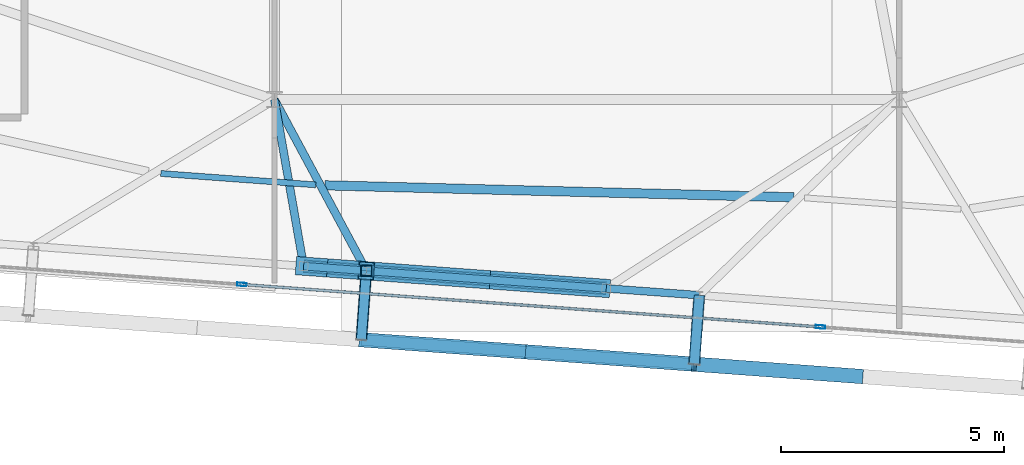
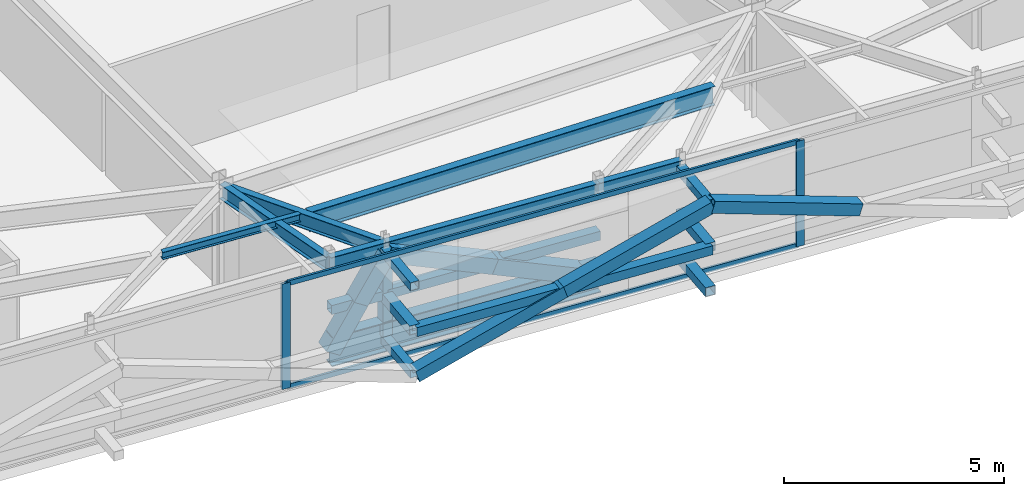
# One storey, part 11 of 35: 22 members, 7 beams, 1 element without a shape of its own.
"""IFC4 building model written with IfcOpenShell, lengths in metres."""

from ifc_helpers import new_model, si_unit, direction, frame, origin, origin_2d, place, context, subcontext, project, spatial, hollow_rectangle, i_section, extrude, source, transform, mapped, material, layer, layer_set, material_profile, profile_set, type_object, element, aggregate, save


model = new_model("IFC4")

# Units and contexts
model_context = context("Model", 3, precision=1e-05, world=origin(), true_north=direction((0.0, 1.0)))
body_context = subcontext(model_context, "Body", "Model", "MODEL_VIEW")
ifc_project = project(units=[si_unit("LENGTHUNIT", "METRE"), si_unit("AREAUNIT", "SQUARE_METRE"), si_unit("VOLUMEUNIT", "CUBIC_METRE"), si_unit("PLANEANGLEUNIT", "RADIAN"), si_unit("MASSUNIT", "GRAM", prefix="KILO")], contexts=[model_context])

# Site, building, storey
site_placement = place(None, origin())
site = spatial("IfcSite", under=ifc_project, at=site_placement, CompositionType="ELEMENT")
building_placement = place(site_placement, origin())
building = spatial("IfcBuilding", under=site, at=building_placement, Name="Taldren Reach Tower", CompositionType="ELEMENT")
storey_placement = place(building_placement, frame((0.0, 0.0, 236.60009765625)))
storey = spatial("IfcBuildingStorey", under=building, at=storey_placement, Name="L72", CompositionType="ELEMENT", Elevation=236.60009765625)

# Members
ifc_material_1 = material(Name="Steel Gr 350 (C350L0)", Category="steel")
ifc_material_profile_1 = material_profile(ifc_material_1, hollow_rectangle(XDim=0.25, YDim=0.25, WallThickness=0.010009765625, at=origin_2d()), Name="250x250x10.0SHS")
ifc_profile_set_1 = profile_set([ifc_material_profile_1], Name="Steel Gr 350 (C350L0)")
member_type_1 = type_object("IfcMemberType", Name="MB-POST250", PredefinedType="POST", material=ifc_profile_set_1)
shared_shape_1 = source(origin(), body_context, "Body", "SweptSolid", [
    extrude(hollow_rectangle(XDim=0.25, YDim=0.25, WallThickness=0.010009765625, at=origin_2d()), origin(), (0.0, 0.0, 1.0), 1.5498046875),
])
member_1_placement = place(storey_placement, frame((30.060546875, 5.364501953125, 1.434814453125), z_axis=(-0.073250797913, -0.997313551801, 0.0), x_axis=(0.997313551801, -0.073250797913, 0.0)))
element("IfcMember", 1, at=member_1_placement, inside=storey, type_object=member_type_1, Name="Exoskeleton mid-tier diaphragm tie B5-S3 L72", PredefinedType="POST", context=body_context, shape_type="MappedRepresentation", body=[
    mapped(shared_shape_1, transform((0.0, 0.0, 0.0), scale=1.0)),
])
shared_shape_2 = source(origin(), body_context, "Body", "SweptSolid", [
    extrude(hollow_rectangle(XDim=0.25, YDim=0.25, WallThickness=0.010009765625, at=origin_2d()), origin(), (0.0, 0.0, 1.0), 1.550048828125),
])
for number, where, z_axis, x_axis, name in (
    (2, (37.5205078125, 4.81689453125, 0.219970703125), (-0.07323929162, -0.997314396849, 0.0), (0.997314396849, -0.07323929162, 0.0), "Exoskeleton base diaphragm tie strut B5-S4 L72"),
    (3, (37.5205078125, 4.81689453125, 1.434814453125), (-0.07323929162, -0.997314396849, 0.0), (0.997314396849, -0.07323929162, 0.0), "Exoskeleton mid-tier diaphragm tie B5-S4 L72"),
):
    element("IfcMember", number, at=place(storey_placement, frame(where, z_axis=z_axis, x_axis=x_axis)), inside=storey, type_object=member_type_1, Name=name, PredefinedType="POST", context=body_context, shape_type="MappedRepresentation", body=[
        mapped(shared_shape_2, transform((0.0, 0.0, 0.0), scale=1.0)),
    ])
ifc_material_2 = material(Name="Steel Gr 450 (C450L0)", Category="steel")
ifc_material_profile_2 = material_profile(ifc_material_2, hollow_rectangle(XDim=0.219970703125, YDim=0.219970703125, WallThickness=0.00830078125, at=origin_2d()), Name="220x220x8.2SHS")
ifc_profile_set_2 = profile_set([ifc_material_profile_2], Name="Steel Gr 450 (C450L0)")
member_type_2 = type_object("IfcMemberType", Name="MB-TIE219", PredefinedType="STRUT", material=ifc_profile_set_2)
shared_shape_3 = source(origin(), body_context, "Body", "SweptSolid", [
    extrude(hollow_rectangle(XDim=0.219970703125, YDim=0.219970703125, WallThickness=0.00830078125, at=origin_2d()), origin(), (0.0, 0.0, 1.0), 1.5498046875),
])
for number, where, z_axis, x_axis, name in (
    (4, (30.060546875, 5.364501953125, 2.64990234375), (-0.073250797913, -0.997313551801, 0.0), (0.997313551801, -0.073250797913, 0.0), "Exoskeleton diaphragm tie strut B5-S3 L72"),
    (5, (30.060546875, 5.364501953125, 0.219970703125), (-0.073250797913, -0.997313551801, 0.0), (0.997313551801, -0.073250797913, 0.0), "Exoskeleton base diaphragm tie strut B5-S3 L72"),
):
    element("IfcMember", number, at=place(storey_placement, frame(where, z_axis=z_axis, x_axis=x_axis)), inside=storey, type_object=member_type_2, Name=name, PredefinedType="STRUT", context=body_context, shape_type="MappedRepresentation", body=[
        mapped(shared_shape_3, transform((0.0, 0.0, 0.0), scale=1.0)),
    ])
shared_shape_4 = source(origin(), body_context, "Body", "SweptSolid", [
    extrude(hollow_rectangle(XDim=0.219970703125, YDim=0.219970703125, WallThickness=0.00830078125, at=origin_2d()), origin(), (0.0, 0.0, 1.0), 1.550048828125),
])
member_2_placement = place(storey_placement, frame((37.5205078125, 4.81689453125, 2.64990234375), z_axis=(-0.07323929162, -0.997314396849, 0.0), x_axis=(0.997314396849, -0.07323929162, 0.0)))
element("IfcMember", 6, at=member_2_placement, inside=storey, type_object=member_type_2, Name="Exoskeleton diaphragm tie strut B5-S4 L72", PredefinedType="STRUT", context=body_context, shape_type="MappedRepresentation", body=[
    mapped(shared_shape_4, transform((0.0, 0.0, 0.0), scale=1.0)),
])

# Beams
ifc_material_3 = material(Name="Steel Gr 350 (350PLUS)", Category="steel")
ifc_material_profile_3 = material_profile(ifc_material_3, i_section(OverallWidth=0.172119140625, OverallDepth=0.35888671875, WebThickness=0.008056640625, FlangeThickness=0.012939453125, at=origin_2d()), Name="360UB56.7")
ifc_profile_set_3 = profile_set([ifc_material_profile_3], Name="Steel Gr 350 (350PLUS)")
beam_type_1 = type_object("IfcBeamType", Name="SP-UB360", PredefinedType="SPANDREL", material=ifc_profile_set_3)
shared_shape_5 = source(origin(), body_context, "Body", "SweptSolid", [
    extrude(i_section(OverallWidth=0.172119140625, OverallDepth=0.35888671875, WebThickness=0.008056640625, FlangeThickness=0.012939453125, at=origin_2d()), origin(), (0.0, 0.0, 1.0), 1.41015625),
])
beam_1_placement = place(storey_placement, frame((28.654296875, 5.4677734375, 2.75048828125), z_axis=(0.997314324946, -0.073240270738, 0.0), x_axis=(0.073240270738, 0.997314324946, 0.0)))
element("IfcBeam", 7, at=beam_1_placement, inside=storey, type_object=beam_type_1, Name="Perimeter spandrel B5 PJ1-S3 L72", PredefinedType="SPANDREL", context=body_context, shape_type="MappedRepresentation", body=[
    mapped(shared_shape_5, transform((0.0, 0.0, 0.0), scale=1.0)),
])
shared_shape_6 = source(origin(), body_context, "Body", "SweptSolid", [
    extrude(i_section(OverallWidth=0.172119140625, OverallDepth=0.35888671875, WebThickness=0.008056640625, FlangeThickness=0.012939453125, at=origin_2d()), origin(), (0.0, 0.0, 1.0), 5.389892578125),
])
beam_2_placement = place(storey_placement, frame((30.060546875, 5.364501953125, 2.75048828125), z_axis=(0.997314149177, -0.073242664148, 0.0), x_axis=(0.073242664148, 0.997314149177, 0.0)))
element("IfcBeam", 8, at=beam_2_placement, inside=storey, type_object=beam_type_1, Name="Perimeter spandrel B5 S3-PJ2 L72", PredefinedType="SPANDREL", context=body_context, shape_type="MappedRepresentation", body=[
    mapped(shared_shape_6, transform((0.0, 0.0, 0.0), scale=1.0)),
])
shared_shape_7 = source(origin(), body_context, "Body", "SweptSolid", [
    extrude(i_section(OverallWidth=0.172119140625, OverallDepth=0.35888671875, WebThickness=0.008056640625, FlangeThickness=0.012939453125, at=origin_2d()), origin(), (0.0, 0.0, 1.0), 2.090087890625),
])
beam_3_placement = place(storey_placement, frame((35.43603515625, 4.9697265625, 2.75048828125), z_axis=(0.997322930253, -0.073122997697, 0.0), x_axis=(0.073122997697, 0.997322930253, 0.0)))
element("IfcBeam", 9, at=beam_3_placement, inside=storey, type_object=beam_type_1, Name="Perimeter spandrel B5 PJ2-S4 L72", PredefinedType="SPANDREL", context=body_context, shape_type="MappedRepresentation", body=[
    mapped(shared_shape_7, transform((0.0, 0.0, 0.0), scale=1.0)),
])
ifc_material_profile_4 = material_profile(ifc_material_3, i_section(OverallWidth=0.177978515625, OverallDepth=0.406005859375, WebThickness=0.0078125, FlangeThickness=0.0126953125, at=origin_2d()), Name="410UB59.7")
ifc_profile_set_4 = profile_set([ifc_material_profile_4], Name="Steel Gr 350 (350PLUS)")
beam_type_2 = type_object("IfcBeamType", Name="BM-UB410", PredefinedType="BEAM", material=ifc_profile_set_4)
shared_shape_8 = source(origin(), body_context, "Body", "SweptSolid", [
    extrude(i_section(OverallWidth=0.177978515625, OverallDepth=0.406005859375, WebThickness=0.0078125, FlangeThickness=0.0126953125, at=origin_2d()), origin(), (0.0, 0.0, 1.0), 3.7890625),
])
beam_4_placement = place(storey_placement, frame((28.0, 9.199951171875, 2.726806640625), z_axis=(0.172678846321, -0.984978180486, 0.0), x_axis=(0.984978180486, 0.172678846321, 0.0)))
element("IfcBeam", 10, at=beam_4_placement, inside=storey, type_object=beam_type_2, Name="Primary floor girder B5-PJ1 L72", PredefinedType="BEAM", context=body_context, shape_type="MappedRepresentation", body=[
    mapped(shared_shape_8, transform((0.0, 0.0, 0.0), scale=1.0)),
])
shared_shape_9 = source(origin(), body_context, "Body", "SweptSolid", [
    extrude(i_section(OverallWidth=0.177978515625, OverallDepth=0.406005859375, WebThickness=0.0078125, FlangeThickness=0.0126953125, at=origin_2d()), origin(), (0.0, 0.0, 1.0), 4.35400390625),
])
beam_5_placement = place(storey_placement, frame((28.0, 9.199951171875, 2.726806640625), z_axis=(0.473263645364, -0.88092083752, 0.0), x_axis=(0.88092083752, 0.473263645364, 0.0)))
element("IfcBeam", 11, at=beam_5_placement, inside=storey, type_object=beam_type_2, Name="Primary floor girder B5-S3 L72", PredefinedType="BEAM", context=body_context, shape_type="MappedRepresentation", body=[
    mapped(shared_shape_9, transform((0.0, 0.0, 0.0), scale=1.0)),
])
ifc_material_4 = material(Name="Steel Gr 300 (300PLUS, 300 MPa)", Category="steel")
ifc_material_profile_5 = material_profile(ifc_material_4, i_section(OverallWidth=0.134033203125, OverallDepth=0.20703125, WebThickness=0.00634765625, FlangeThickness=0.009521484375, at=origin_2d()), Name="200UB29.8")
ifc_profile_set_5 = profile_set([ifc_material_profile_5], Name="Steel Gr 300 (300PLUS, 300 MPa)")
beam_type_3 = type_object("IfcBeamType", Name="JS-UB200", PredefinedType="JOIST", material=ifc_profile_set_5)
shared_shape_10 = source(origin(), body_context, "Body", "SweptSolid", [
    extrude(i_section(OverallWidth=0.134033203125, OverallDepth=0.20703125, WebThickness=0.00634765625, FlangeThickness=0.009521484375, at=origin_2d()), origin(), (0.0, 0.0, 1.0), 3.481201171875),
])
beam_6_placement = place(storey_placement, frame((25.453125, 7.544921875, 2.826416015625), z_axis=(0.997316141537, -0.073215529974, 0.0), x_axis=(0.073215529974, 0.997316141537, 0.0)))
element("IfcBeam", 12, at=beam_6_placement, inside=storey, type_object=beam_type_3, Name="Secondary floor joist B5 J2 L72", PredefinedType="JOIST", context=body_context, shape_type="MappedRepresentation", body=[
    mapped(shared_shape_10, transform((0.0, 0.0, 0.0), scale=1.0)),
])
ifc_material_profile_6 = material_profile(ifc_material_3, i_section(OverallWidth=0.208984375, OverallDepth=0.532958984375, WebThickness=0.01025390625, FlangeThickness=0.015625, at=origin_2d()), Name="530UB92.4")
ifc_profile_set_6 = profile_set([ifc_material_profile_6], Name="Steel Gr 350 (350PLUS)")
beam_type_4 = type_object("IfcBeamType", Name="BM-UB530A", PredefinedType="BEAM", material=ifc_profile_set_6)
shared_shape_11 = source(origin(), body_context, "Body", "SweptSolid", [
    extrude(i_section(OverallWidth=0.208984375, OverallDepth=0.532958984375, WebThickness=0.01025390625, FlangeThickness=0.015625, at=origin_2d()), origin(), (0.0, 0.0, 1.0), 10.507080078125),
])
beam_7_placement = place(storey_placement, frame((29.132568359375, 7.27978515625, 2.663330078125), z_axis=(0.999673899449, -0.025536146143, 0.0), x_axis=(0.025536146143, 0.999673899449, 0.0)))
element("IfcBeam", 13, at=beam_7_placement, inside=storey, type_object=beam_type_4, Name="Secondary floor beam B5 J3 L72", PredefinedType="BEAM", context=body_context, shape_type="MappedRepresentation", body=[
    mapped(shared_shape_11, transform((0.0, 0.0, 0.0), scale=1.0)),
])

# Members
ifc_material_profile_7 = material_profile(ifc_material_2, hollow_rectangle(XDim=0.324951171875, YDim=0.324951171875, WallThickness=0.0126953125, at=origin_2d()), Name="325x325x12.7SHS")
ifc_profile_set_7 = profile_set([ifc_material_profile_7], Name="Steel Gr 450 (C450L0)")
member_type_3 = type_object("IfcMemberType", Name="MB-BR324", PredefinedType="BRACE", material=ifc_profile_set_7)
shared_shape_12 = source(origin(), body_context, "Body", "SweptSolid", [
    extrude(hollow_rectangle(XDim=0.324951171875, YDim=0.324951171875, WallThickness=0.0126953125, at=origin_2d()), origin(), (0.0, 0.0, 1.0), 3.932373046875),
])
for number, where, z_axis, x_axis, name in (
    (14, (29.947021484375, 3.81884765625, 0.219970703125), (0.948529326954, -0.06965898055, 0.308933232813), (0.07324169103, 0.997314220642, 0.0), "Exoskeleton Diagrid Brace B5-S3 L72"),
    (15, (33.677001953125, 3.544921875, 1.434814453125), (0.948511132845, -0.069657644394, 0.308989390507), (0.07324169103, 0.997314220642, 0.0), "Exoskeleton Diagrid Brace B5-S3 L72"),
):
    element("IfcMember", number, at=place(storey_placement, frame(where, z_axis=z_axis, x_axis=x_axis)), inside=storey, type_object=member_type_3, Name=name, PredefinedType="BRACE", context=body_context, shape_type="MappedRepresentation", body=[
        mapped(shared_shape_12, transform((0.0, 0.0, 0.0), scale=1.0)),
    ])
shared_shape_13 = source(origin(), body_context, "Body", "SweptSolid", [
    extrude(hollow_rectangle(XDim=0.25, YDim=0.25, WallThickness=0.010009765625, at=origin_2d()), origin(), (0.0, 0.0, 1.0), 7.47998046875),
])
member_3_placement = place(storey_placement, frame((29.947021484375, 3.81884765625, 1.434814453125), z_axis=(0.997314220642, -0.07324169103, 0.0), x_axis=(0.07324169103, 0.997314220642, 0.0)))
element("IfcMember", 16, at=member_3_placement, inside=storey, type_object=member_type_1, Name="Exoskeleton mid-height ring chord B5-S3 L72", PredefinedType="POST", context=body_context, shape_type="MappedRepresentation", body=[
    mapped(shared_shape_13, transform((0.0, 0.0, 0.0), scale=1.0)),
])
shared_shape_14 = source(origin(), body_context, "Body", "SweptSolid", [
    extrude(hollow_rectangle(XDim=0.324951171875, YDim=0.324951171875, WallThickness=0.0126953125, at=origin_2d()), origin(), (0.0, 0.0, 1.0), 3.93212890625),
])
member_4_placement = place(storey_placement, frame((41.13671875, 2.9970703125, 1.434814453125), z_axis=(-0.94850490367, 0.069661746542, 0.309007586933), x_axis=(-0.073246459555, -0.997313870435, 0.0)))
element("IfcMember", 17, at=member_4_placement, inside=storey, type_object=member_type_3, Name="Exoskeleton Diagrid Brace B5-S4 L72", PredefinedType="BRACE", context=body_context, shape_type="MappedRepresentation", body=[
    mapped(shared_shape_14, transform((0.0, 0.0, 0.0), scale=1.0)),
])
ifc_material_profile_8 = material_profile(ifc_material_3, i_section(OverallWidth=0.300048828125, OverallDepth=0.81591796875, WebThickness=0.011962890625, FlangeThickness=0.02392578125, at=origin_2d()), Name="800WB192")
ifc_profile_set_8 = profile_set([ifc_material_profile_8], Name="Steel Gr 350 (350PLUS)")
member_type_4 = type_object("IfcMemberType", Name="MB-CH800", PredefinedType="CHORD", material=ifc_profile_set_8)
shared_shape_15 = source(origin(), body_context, "Body", "SweptSolid", [
    extrude(i_section(OverallWidth=0.300048828125, OverallDepth=0.81591796875, WebThickness=0.011962890625, FlangeThickness=0.02392578125, at=origin_2d()), origin(), (0.0, 0.0, 1.0), 6.800048828125),
])
member_5_placement = place(storey_placement, frame((28.654296875, 5.4677734375, 0.349853515625), z_axis=(0.997314185625, -0.073242167855, 0.0), x_axis=(0.073242167855, 0.997314185625, 0.0)))
element("IfcMember", 18, at=member_5_placement, inside=storey, type_object=member_type_4, Name="Wind portal S bridge truss bottom chord", PredefinedType="CHORD", context=body_context, shape_type="MappedRepresentation", body=[
    mapped(shared_shape_15, transform((0.0, 0.0, 0.0), scale=1.0)),
])
shared_shape_16 = source(origin(), body_context, "Body", "SweptSolid", [
    extrude(hollow_rectangle(XDim=0.25, YDim=0.25, WallThickness=0.010009765625, at=origin_2d()), origin(), (0.0, 0.0, 1.0), 6.800048828125),
])
member_6_placement = place(storey_placement, frame((28.654296875, 5.4677734375, 1.5), z_axis=(0.997314185625, -0.073242167855, 0.0), x_axis=(0.073242167855, 0.997314185625, 0.0)))
element("IfcMember", 19, at=member_6_placement, inside=storey, type_object=member_type_1, Name="Wind portal S bridge truss mid chord", PredefinedType="POST", context=body_context, shape_type="MappedRepresentation", body=[
    mapped(shared_shape_16, transform((0.0, 0.0, 0.0), scale=1.0)),
])
shared_shape_17 = source(origin(), body_context, "Body", "SweptSolid", [
    extrude(hollow_rectangle(XDim=0.25, YDim=0.25, WallThickness=0.010009765625, at=origin_2d()), origin(), (0.0, 0.0, 1.0), 1.150146484375),
])
member_7_placement = place(storey_placement, frame((30.060546875, 5.364501953125, 0.349853515625), z_axis=(0.0, 0.0, 1.0), x_axis=(1.0, 0.0, 0.0)))
element("IfcMember", 20, at=member_7_placement, inside=storey, type_object=member_type_1, Name="Wind portal S bridge truss vertical post", PredefinedType="POST", context=body_context, shape_type="MappedRepresentation", body=[
    mapped(shared_shape_17, transform((0.0, 0.0, 0.0), scale=1.0)),
])
shared_shape_18 = source(origin(), body_context, "Body", "SweptSolid", [
    extrude(hollow_rectangle(XDim=0.25, YDim=0.25, WallThickness=0.010009765625, at=origin_2d()), origin(), (0.0, 0.0, 1.0), 1.14990234375),
])
member_8_placement = place(storey_placement, frame((30.060546875, 5.364501953125, 1.5), z_axis=(0.0, 0.0, 1.0), x_axis=(1.0, 0.0, 0.0)))
element("IfcMember", 21, at=member_8_placement, inside=storey, type_object=member_type_1, Name="Wind portal S bridge truss upper vertical post", PredefinedType="POST", context=body_context, shape_type="MappedRepresentation", body=[
    mapped(shared_shape_18, transform((0.0, 0.0, 0.0), scale=1.0)),
])
ifc_material_profile_9 = material_profile(ifc_material_2, hollow_rectangle(XDim=0.409912109375, YDim=0.409912109375, WallThickness=0.01611328125, at=origin_2d()), Name="410x410x16.0SHS")
ifc_profile_set_9 = profile_set([ifc_material_profile_9], Name="Steel Gr 450 (C450L0)")
member_type_5 = type_object("IfcMemberType", Name="MB-EXO406", PredefinedType="BRACE", material=ifc_profile_set_9)
shared_shape_19 = source(origin(), body_context, "Body", "SweptSolid", [
    extrude(hollow_rectangle(XDim=0.409912109375, YDim=0.409912109375, WallThickness=0.01611328125, at=origin_2d()), origin(), (0.0, 0.0, 1.0), 1.34912109375),
])
member_9_placement = place(storey_placement, frame((28.654296875, 5.4677734375, 0.349853515625), z_axis=(0.521208773254, -0.038185781652, 0.852574489861), x_axis=(0.07306805139, 0.997326957355, 0.0)))
element("IfcMember", 22, at=member_9_placement, inside=storey, type_object=member_type_5, Name="Wind portal S bridge truss diagonal 1", PredefinedType="BRACE", context=body_context, shape_type="MappedRepresentation", body=[
    mapped(shared_shape_19, transform((0.0, 0.0, 0.0), scale=1.0)),
])
shared_shape_20 = source(origin(), body_context, "Body", "SweptSolid", [
    extrude(hollow_rectangle(XDim=0.409912109375, YDim=0.409912109375, WallThickness=0.01611328125, at=origin_2d()), origin(), (0.0, 0.0, 1.0), 1.348876953125),
])
member_10_placement = place(storey_placement, frame((29.357421875, 5.416259765625, 1.5), z_axis=(0.521285591109, -0.038372411568, 0.852519143793), x_axis=(0.073412483535, 0.99730166312, 0.0)))
element("IfcMember", 23, at=member_10_placement, inside=storey, type_object=member_type_5, Name="Wind portal S bridge truss diagonal 1", PredefinedType="BRACE", context=body_context, shape_type="MappedRepresentation", body=[
    mapped(shared_shape_20, transform((0.0, 0.0, 0.0), scale=1.0)),
])
shared_shape_21 = source(origin(), body_context, "Body", "SweptSolid", [
    extrude(hollow_rectangle(XDim=0.409912109375, YDim=0.409912109375, WallThickness=0.01611328125, at=origin_2d()), origin(), (0.0, 0.0, 1.0), 2.929931640625),
])
member_11_placement = place(storey_placement, frame((30.060546875, 5.364501953125, 2.64990234375), z_axis=(0.917305052084, -0.067325141437, -0.392452247735), x_axis=(0.073197611509, 0.997317456816, 0.0)))
element("IfcMember", 24, at=member_11_placement, inside=storey, type_object=member_type_5, Name="Wind portal S bridge truss diagonal 2", PredefinedType="BRACE", context=body_context, shape_type="MappedRepresentation", body=[
    mapped(shared_shape_21, transform((0.0, 0.0, 0.0), scale=1.0)),
])
shared_shape_22 = source(origin(), body_context, "Body", "SweptSolid", [
    extrude(hollow_rectangle(XDim=0.409912109375, YDim=0.409912109375, WallThickness=0.01611328125, at=origin_2d()), origin(), (0.0, 0.0, 1.0), 2.93017578125),
])
member_12_placement = place(storey_placement, frame((32.748291015625, 5.167236328125, 1.5), z_axis=(0.917269905668, -0.067405881886, -0.392520530984), x_axis=(0.073287716339, 0.997310839525, 0.0)))
element("IfcMember", 25, at=member_12_placement, inside=storey, type_object=member_type_5, Name="Wind portal S bridge truss diagonal 2", PredefinedType="BRACE", context=body_context, shape_type="MappedRepresentation", body=[
    mapped(shared_shape_22, transform((0.0, 0.0, 0.0), scale=1.0)),
])

# Curtain wall, members
ifc_material_5 = material(Name="Aluminium and Low-E Glass Unitised System", Category="aluminium")
ifc_layer = layer(ifc_material_5, 0.159912109375)
ifc_layer_set = layer_set([ifc_layer], Name="Aluminium and Low-E Glass Unitised System")
curtain_wall_type = type_object("IfcCurtainWallType", Name="CW-SYS-6", PredefinedType="NOTDEFINED", material=ifc_layer_set)
curtain_wall_placement = place(storey_placement, origin())
curtain_wall = element("IfcCurtainWall", 26, at=curtain_wall_placement, inside=storey, type_object=curtain_wall_type, Name="Unitised curtain wall CW-L72-S", PredefinedType="NOTDEFINED")
ifc_material_6 = material(Name="Anodised Aluminium 6063-T6", Category="aluminium")
ifc_material_profile_10 = material_profile(ifc_material_6, hollow_rectangle(XDim=0.06005859375, YDim=0.135009765625, WallThickness=0.00341796875, at=origin_2d()), Name="ALU-135x60x3.5RHS")
ifc_profile_set_10 = profile_set([ifc_material_profile_10], Name="Anodised Aluminium 6063-T6")
member_type_6 = type_object("IfcMemberType", Name="CW-TRN-150", PredefinedType="USERDEFINED", material=ifc_profile_set_10)
shared_shape_23 = source(origin(), body_context, "Body", "SweptSolid", [
    extrude(hollow_rectangle(XDim=0.06005859375, YDim=0.135009765625, WallThickness=0.00341796875, at=origin_2d()), origin(), (0.0, 0.0, 1.0), 12.925048828125),
])
member_13_placement = place(storey_placement, frame((27.307861328125, 5.055419921875, 0.02978515625), z_axis=(0.99731353371, -0.073251044219, 0.0), x_axis=(0.073251044219, 0.99731353371, 0.0)))
member_13 = element("IfcMember", 27, at=member_13_placement, type_object=member_type_6, Name="CW-6 transom 2.1", ObjectType="TRANSOM", PredefinedType="USERDEFINED", context=body_context, shape_type="MappedRepresentation", body=[
    mapped(shared_shape_23, transform((0.0, 0.0, 0.0), scale=1.0)),
])
member_14_placement = place(storey_placement, frame((27.307861328125, 5.055419921875, 2.89990234375), z_axis=(0.99731353371, -0.073251044219, 0.0), x_axis=(0.073251044219, 0.99731353371, 0.0)))
member_14 = element("IfcMember", 28, at=member_14_placement, type_object=member_type_6, Name="CW-6 transom 2.2", ObjectType="TRANSOM", PredefinedType="USERDEFINED", context=body_context, shape_type="MappedRepresentation", body=[
    mapped(shared_shape_23, transform((0.0, 0.0, 0.0), scale=1.0)),
])
ifc_material_profile_11 = material_profile(ifc_material_6, hollow_rectangle(XDim=0.074951171875, YDim=0.2099609375, WallThickness=0.00439453125, at=origin_2d()), Name="ALU-210x75x4.5RHS")
ifc_profile_set_11 = profile_set([ifc_material_profile_11], Name="Anodised Aluminium 6063-T6")
member_type_7 = type_object("IfcMemberType", Name="CW-MUL-200", PredefinedType="MULLION", material=ifc_profile_set_11)
shared_shape_24 = source(origin(), body_context, "Body", "SweptSolid", [
    extrude(hollow_rectangle(XDim=0.074951171875, YDim=0.2099609375, WallThickness=0.00439453125, at=origin_2d()), origin(), (0.0, 0.0, 1.0), 2.929931640625),
])
member_15_placement = place(storey_placement, frame((27.2705078125, 5.05810546875, 0.0), z_axis=(0.0, 0.0, 1.0), x_axis=(0.073238213716, 0.997314476006, 0.0)))
member_15 = element("IfcMember", 29, at=member_15_placement, type_object=member_type_7, Name="CW-6 mullion 2", PredefinedType="MULLION", context=body_context, shape_type="MappedRepresentation", body=[
    mapped(shared_shape_24, transform((0.0, 0.0, 0.0), scale=1.0)),
])
member_16_placement = place(storey_placement, frame((40.235595703125, 4.10595703125, 0.0), z_axis=(0.0, 0.0, 1.0), x_axis=(0.073238213716, 0.997314476006, 0.0)))
member_16 = element("IfcMember", 30, at=member_16_placement, type_object=member_type_7, Name="CW-6 mullion 3", PredefinedType="MULLION", context=body_context, shape_type="MappedRepresentation", body=[
    mapped(shared_shape_24, transform((0.0, 0.0, 0.0), scale=1.0)),
])
aggregate(curtain_wall, [member_15, member_16, member_13, member_14])

save(model, "model.ifc")
